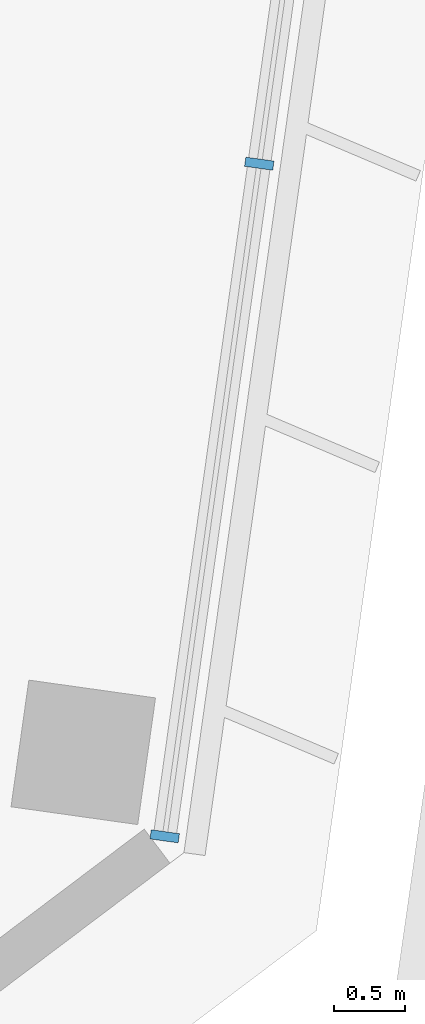
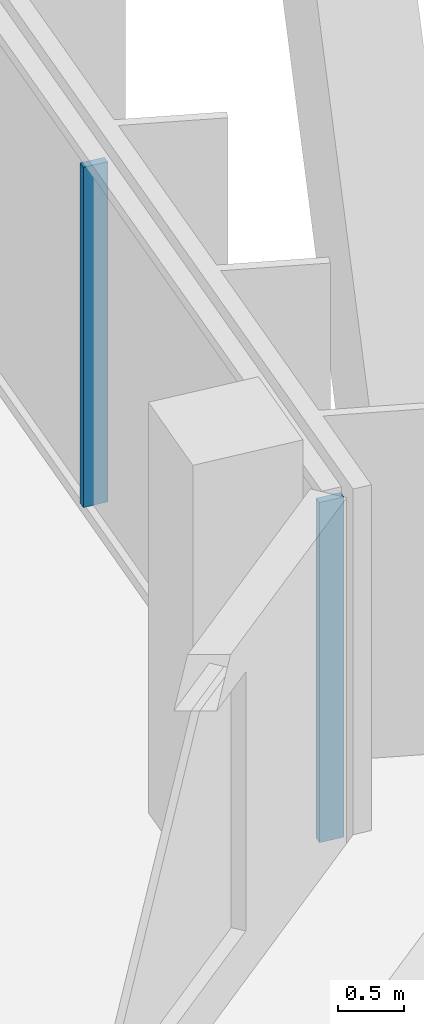
# One storey, part 10 of 41: 2 members, 1 element without a shape of its own.
"""IFC4 building model written with IfcOpenShell, lengths in metres."""

from ifc_helpers import new_model, si_unit, direction, frame, origin, origin_2d, place, context, subcontext, project, spatial, rectangle, extrude, material, material_profile, profile_set, type_object, element, aggregate, save


model = new_model("IFC4")

# Units and contexts
model_context = context("Model", 3, precision=1e-05, world=origin(), true_north=direction((0.0, 1.0)))
body_context = subcontext(model_context, "Body", "Model", "MODEL_VIEW")
ifc_project = project(units=[si_unit("LENGTHUNIT", "METRE"), si_unit("AREAUNIT", "SQUARE_METRE"), si_unit("VOLUMEUNIT", "CUBIC_METRE"), si_unit("PLANEANGLEUNIT", "RADIAN"), si_unit("MASSUNIT", "GRAM", prefix="KILO")], contexts=[model_context])

# Site, building, storey
site_placement = place(None, origin())
site = spatial("IfcSite", under=ifc_project, at=site_placement, CompositionType="ELEMENT")
building_placement = place(site_placement, origin())
building = spatial("IfcBuilding", under=site, at=building_placement, Name="Mirante Cascada Hotel Towers", CompositionType="ELEMENT")
storey_placement = place(building_placement, frame((0.0, 0.0, 125.3)))
storey = spatial("IfcBuildingStorey", under=building, at=storey_placement, Name="L28", CompositionType="ELEMENT", Elevation=125.3)

# Curtain wall, members
ifc_material_1 = material(Name="Aluminium mullion and transom frame with clear laminated glass", Category="aluminium")
curtain_wall_type = type_object("IfcCurtainWallType", Name="End ribbon curtain wall ECW2", PredefinedType="NOTDEFINED", material=ifc_material_1)
curtain_wall_placement = place(storey_placement, origin())
curtain_wall = element("IfcCurtainWall", 1, at=curtain_wall_placement, inside=storey, type_object=curtain_wall_type, Name="Inner end wall T1 L28", PredefinedType="NOTDEFINED")
ifc_material_2 = material(Name="Anodised aluminium extrusion", Category="aluminium")
ifc_material_profile = material_profile(ifc_material_2, rectangle(XDim=0.2, YDim=0.065, at=origin_2d()), Name="ECW2 MULLION 65x200")
ifc_profile_set = profile_set([ifc_material_profile], Name="Anodised aluminium extrusion")
member_type = type_object("IfcMemberType", Name="ECW2 mullion 65x200", PredefinedType="MULLION", material=ifc_profile_set)
member_1_placement = place(storey_placement, frame((-31.4881, -11.5107, 0.1), z_axis=(0.0, 0.0, 1.0), x_axis=(0.9902681, -0.1391731, 0.0)))
member_1 = element("IfcMember", 2, at=member_1_placement, type_object=member_type, Name="ECW2 mullion 6", PredefinedType="MULLION", context=body_context, shape_type="SweptSolid", body=[
    extrude(rectangle(XDim=0.2, YDim=0.065, at=origin_2d()), origin(), (0.0, 0.0, 1.0), 3.15),
])
member_2_placement = place(storey_placement, frame((-32.1534, -16.2443, 0.1), z_axis=(0.0, 0.0, 1.0), x_axis=(0.9902681, -0.1391731, 0.0)))
member_2 = element("IfcMember", 3, at=member_2_placement, type_object=member_type, Name="ECW2 mullion 7", PredefinedType="MULLION", context=body_context, shape_type="SweptSolid", body=[
    extrude(rectangle(XDim=0.2, YDim=0.065, at=origin_2d()), origin(), (0.0, 0.0, 1.0), 3.15),
])
aggregate(curtain_wall, [member_1, member_2])

save(model, "model.ifc")
